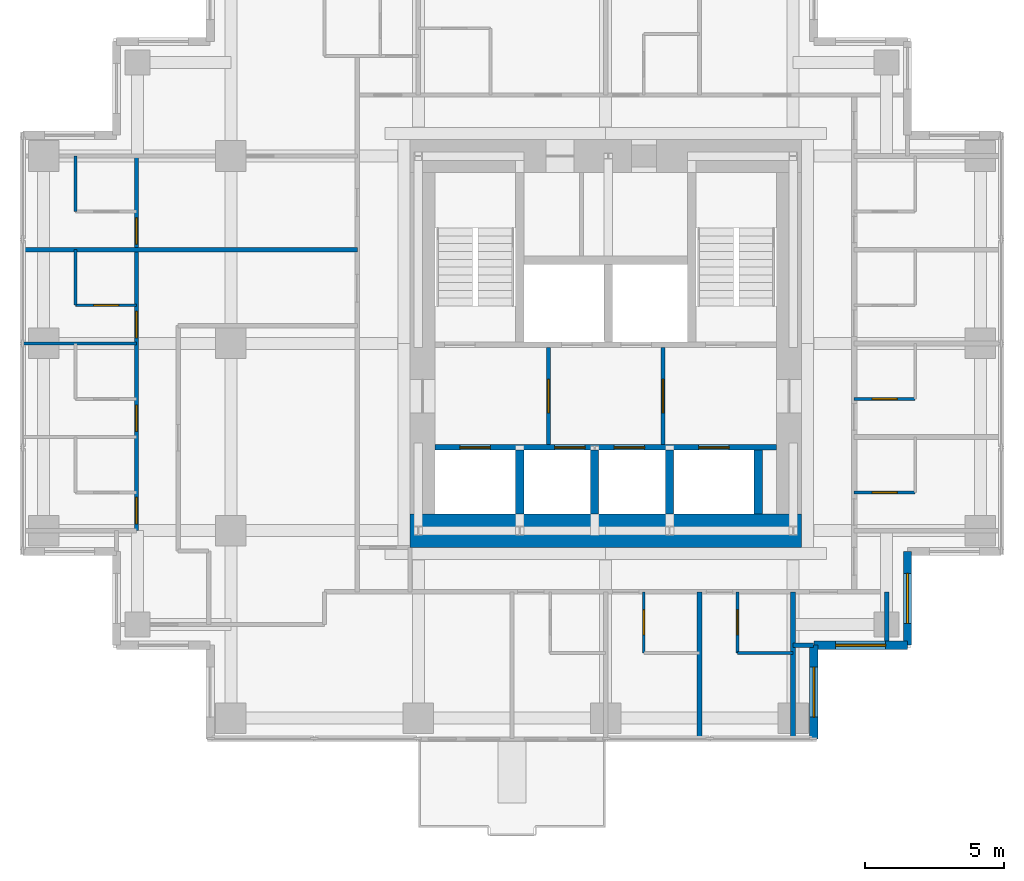
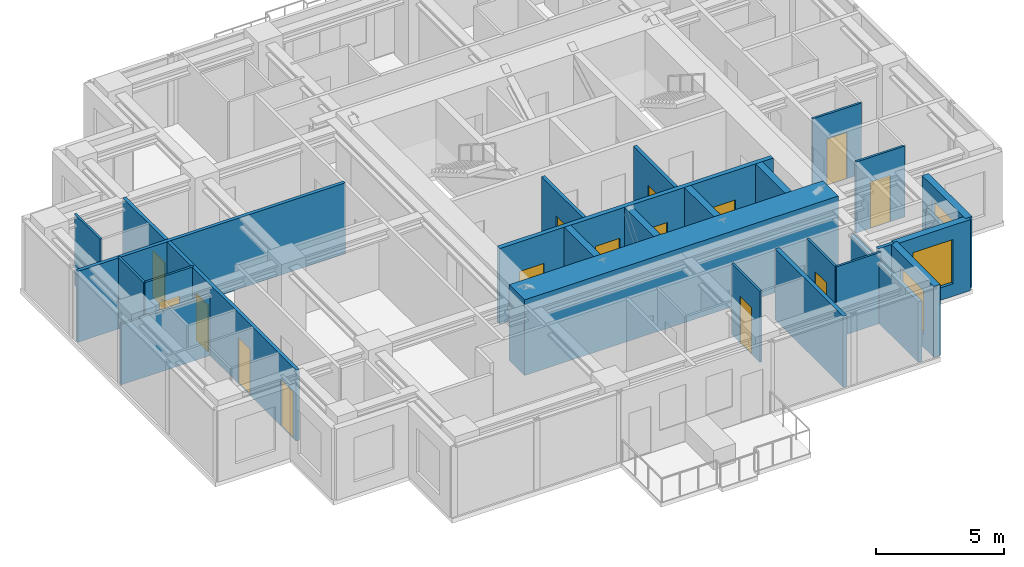
# One storey, part 4 of 8: 26 walls, 15 doors, 3 windows, 18 openings.
"""IFC4 building model written with IfcOpenShell, lengths in metres."""

from ifc_helpers import new_model, si_unit, direction, frame, frame_2d, origin, place, context, subcontext, project, spatial, rectangle, extrude, material, layer, layer_set, type_object, element, fill, save


model = new_model("IFC4")

# Units and contexts
model_context = context("Model", 3, precision=1e-05, world=origin(), true_north=direction((0.0, 1.0)))
body_context = subcontext(model_context, "Body", "Model", "MODEL_VIEW")
ifc_project = project(units=[si_unit("LENGTHUNIT", "METRE"), si_unit("AREAUNIT", "SQUARE_METRE"), si_unit("VOLUMEUNIT", "CUBIC_METRE"), si_unit("PLANEANGLEUNIT", "RADIAN"), si_unit("MASSUNIT", "GRAM", prefix="KILO")], contexts=[model_context])

# Site, building, storey
site_placement = place(None, origin())
site = spatial("IfcSite", under=ifc_project, at=site_placement, CompositionType="ELEMENT")
building_placement = place(site_placement, origin())
building = spatial("IfcBuilding", under=site, at=building_placement, Name="Nyansa Garden Tower", CompositionType="ELEMENT")
storey_placement = place(building_placement, frame((0.0, 0.0, 218.699951171875)))
storey = spatial("IfcBuildingStorey", under=building, at=storey_placement, Name="L59", CompositionType="ELEMENT", Elevation=218.699951171875)

# Walls
ifc_material_1 = material(Name="Dense blockwork, plastered both sides, 55 dB", Category="masonry")
ifc_layer_1 = layer(ifc_material_1, 0.175048828125)
ifc_layer_set_1 = layer_set([ifc_layer_1], Name="Acoustic party wall PW175")
wall_type_1 = type_object("IfcWallType", Name="Acoustic party wall PW175", PredefinedType="PARTITIONING", material=ifc_layer_set_1)
wall_1_placement = place(storey_placement, frame((23.625, 6.01611328125, 0.0), z_axis=(0.0, 0.0, 1.0), x_axis=(0.0, 1.0, 0.0)))
element("IfcWall", 1, at=wall_1_placement, inside=storey, type_object=wall_type_1, Name="Party wall", PredefinedType="PARTITIONING", context=body_context, shape_type="SweptSolid", body=[
    extrude(rectangle(XDim=5.283935546875, YDim=0.175048828125, at=frame_2d((2.64208984375, 0.0))), origin(), (0.0, 0.0, 1.0), 3.375),
])
wall_2_placement = place(storey_placement, frame((27.0, 6.01611328125, 0.0), z_axis=(0.0, 0.0, 1.0), x_axis=(0.0, 1.0, 0.0)))
element("IfcWall", 2, at=wall_2_placement, inside=storey, type_object=wall_type_1, Name="Party wall", PredefinedType="PARTITIONING", context=body_context, shape_type="SweptSolid", body=[
    extrude(rectangle(XDim=5.283935546875, YDim=0.175048828125, at=frame_2d((2.64208984375, 0.0))), origin(), (0.0, 0.0, 1.0), 2.876953125),
])

# Wall, openings, doors
ifc_material_2 = material(Name="Concrete C70/85", Category="concrete")
ifc_layer_2 = layer(ifc_material_2, 0.199951171875)
ifc_layer_set_2 = layer_set([ifc_layer_2], Name="Core inner wall CI200")
wall_type_2 = type_object("IfcWallType", Name="Core inner wall CI200", PredefinedType="SHEAR", material=ifc_layer_set_2)
wall_3_placement = place(storey_placement, frame((14.10009765625, 16.5, 0.0), z_axis=(0.0, 0.0, 1.0), x_axis=(1.0, 0.0, 0.0)))
wall_3 = element("IfcWall", 3, at=wall_3_placement, inside=storey, type_object=wall_type_2, Name="Core inner wall L59", PredefinedType="SHEAR", context=body_context, shape_type="SweptSolid", body=[
    extrude(rectangle(XDim=12.2998046875, YDim=0.199951171875, at=frame_2d((6.14990234375, 0.0))), origin(), (0.0, 0.0, 1.0), 3.60009765625),
])
opening_1_placement = place(wall_3_placement, frame((0.89990234375, 0.0, 0.0)))
opening_1 = element("IfcOpeningElement", 4, at=opening_1_placement, cuts=wall_3, Name="Opening LD-F", PredefinedType="OPENING", context=body_context, shape_type="SweptSolid", body=[
    extrude(rectangle(XDim=1.10009765625, YDim=2.199951171875, at=frame_2d((0.550048828125, 1.10009765625))), frame((0.0, 0.10986328125, 0.0), z_axis=(0.0, -1.0, 0.0), x_axis=(1.0, 0.0, 0.0)), (0.0, 0.0, 1.0), 0.219970703125),
])
opening_2_placement = place(wall_3_placement, frame((4.31005859375, 0.0, 0.0)))
opening_2 = element("IfcOpeningElement", 5, at=opening_2_placement, cuts=wall_3, Name="Opening LD-B", PredefinedType="OPENING", context=body_context, shape_type="SweptSolid", body=[
    extrude(rectangle(XDim=1.10009765625, YDim=2.199951171875, at=frame_2d((0.550048828125, 1.10009765625))), frame((0.0, 0.10986328125, 0.0), z_axis=(0.0, -1.0, 0.0), x_axis=(1.0, 0.0, 0.0)), (0.0, 0.0, 1.0), 0.219970703125),
])
opening_3_placement = place(wall_3_placement, frame((6.449951171875, 0.0, 0.0)))
opening_3 = element("IfcOpeningElement", 6, at=opening_3_placement, cuts=wall_3, Name="Opening LD-B", PredefinedType="OPENING", context=body_context, shape_type="SweptSolid", body=[
    extrude(rectangle(XDim=1.10009765625, YDim=2.199951171875, at=frame_2d((0.550048828125, 1.10009765625))), frame((0.0, 0.10986328125, 0.0), z_axis=(0.0, -1.0, 0.0), x_axis=(1.0, 0.0, 0.0)), (0.0, 0.0, 1.0), 0.219970703125),
])
opening_4_placement = place(wall_3_placement, frame((9.5, 0.0, 0.0)))
opening_4 = element("IfcOpeningElement", 7, at=opening_4_placement, cuts=wall_3, Name="Opening LD-F", PredefinedType="OPENING", context=body_context, shape_type="SweptSolid", body=[
    extrude(rectangle(XDim=1.10009765625, YDim=2.199951171875, at=frame_2d((0.550048828125, 1.10009765625))), frame((0.0, 0.10986328125, 0.0), z_axis=(0.0, -1.0, 0.0), x_axis=(1.0, 0.0, 0.0)), (0.0, 0.0, 1.0), 0.219970703125),
])
ifc_material_3 = material(Name="Stainless steel centre-opening landing door of the high-rise lift, E 120", Category="steel")
door_type_1 = type_object("IfcDoorType", Name="Lift landing door LD-B 1100x2200", OperationType="DOUBLE_DOOR_SLIDING", PredefinedType="DOOR", material=ifc_material_3)
door_1_placement = place(opening_2_placement, origin())
door_1 = element("IfcDoor", 8, at=door_1_placement, inside=storey, type_object=door_type_1, Name="Landing door B1", OperationType="DOUBLE_DOOR_SLIDING", OverallHeight=2.199951171875, OverallWidth=1.10009765625, PredefinedType="DOOR", context=body_context, shape_type="SweptSolid", body=[
    extrude(rectangle(XDim=1.10009765625, YDim=2.199951171875, at=frame_2d((0.550048828125, 1.10009765625))), frame((0.0, 0.02490234375, 0.0), z_axis=(0.0, -1.0, 0.0), x_axis=(1.0, 0.0, 0.0)), (0.0, 0.0, 1.0), 0.050048828125),
])
fill(opening_2, door_1)
door_2_placement = place(opening_3_placement, origin())
door_2 = element("IfcDoor", 9, at=door_2_placement, inside=storey, type_object=door_type_1, Name="Landing door B2", OperationType="DOUBLE_DOOR_SLIDING", OverallHeight=2.199951171875, OverallWidth=1.10009765625, PredefinedType="DOOR", context=body_context, shape_type="SweptSolid", body=[
    extrude(rectangle(XDim=1.10009765625, YDim=2.199951171875, at=frame_2d((0.550048828125, 1.10009765625))), frame((0.0, 0.02490234375, 0.0), z_axis=(0.0, -1.0, 0.0), x_axis=(1.0, 0.0, 0.0)), (0.0, 0.0, 1.0), 0.050048828125),
])
fill(opening_3, door_2)
ifc_material_4 = material(Name="Stainless steel centre-opening landing door of the firefighting lift, EN 81-72, E 120", Category="steel")
door_type_2 = type_object("IfcDoorType", Name="Lift landing door LD-F 1100x2200", OperationType="DOUBLE_DOOR_SLIDING", PredefinedType="DOOR", material=ifc_material_4)
door_3_placement = place(opening_1_placement, origin())
door_3 = element("IfcDoor", 10, at=door_3_placement, inside=storey, type_object=door_type_2, Name="Landing door FF1", OperationType="DOUBLE_DOOR_SLIDING", OverallHeight=2.199951171875, OverallWidth=1.10009765625, PredefinedType="DOOR", context=body_context, shape_type="SweptSolid", body=[
    extrude(rectangle(XDim=1.10009765625, YDim=2.199951171875, at=frame_2d((0.550048828125, 1.10009765625))), frame((0.0, 0.02490234375, 0.0), z_axis=(0.0, -1.0, 0.0), x_axis=(1.0, 0.0, 0.0)), (0.0, 0.0, 1.0), 0.050048828125),
])
fill(opening_1, door_3)
door_4_placement = place(opening_4_placement, origin())
door_4 = element("IfcDoor", 11, at=door_4_placement, inside=storey, type_object=door_type_2, Name="Landing door FF2", OperationType="DOUBLE_DOOR_SLIDING", OverallHeight=2.199951171875, OverallWidth=1.10009765625, PredefinedType="DOOR", context=body_context, shape_type="SweptSolid", body=[
    extrude(rectangle(XDim=1.10009765625, YDim=2.199951171875, at=frame_2d((0.550048828125, 1.10009765625))), frame((0.0, 0.02490234375, 0.0), z_axis=(0.0, -1.0, 0.0), x_axis=(1.0, 0.0, 0.0)), (0.0, 0.0, 1.0), 0.050048828125),
])
fill(opening_4, door_4)

# Walls
ifc_material_5 = material(Name="Concrete C70/85", Category="concrete")
ifc_layer_3 = layer(ifc_material_5, 0.300048828125)
ifc_layer_set_3 = layer_set([ifc_layer_3], Name="Core inner wall CI300")
wall_type_3 = type_object("IfcWallType", Name="Core inner wall CI300", PredefinedType="SHEAR", material=ifc_layer_set_3)
for number, where, z_axis, x_axis, name in (
    (12, (17.14990234375, 14.10009765625, 0.0), (0.0, 0.0, 1.0), (0.0, 1.0, 0.0), "Core inner wall L59"),
    (13, (19.85009765625, 14.10009765625, 0.0), (0.0, 0.0, 1.0), (0.0, 1.0, 0.0), "Core inner wall L59"),
    (14, (22.550048828125, 14.10009765625, 0.0), (0.0, 0.0, 1.0), (0.0, 1.0, 0.0), "Core inner wall L59"),
    (15, (25.75, 14.10009765625, 0.0), (0.0, 0.0, 1.0), (0.0, 1.0, 0.0), "Core inner wall L59"),
):
    element("IfcWall", number, at=place(storey_placement, frame(where, z_axis=z_axis, x_axis=x_axis)), inside=storey, type_object=wall_type_3, Name=name, PredefinedType="SHEAR", context=body_context, shape_type="SweptSolid", body=[
        extrude(rectangle(XDim=2.2998046875, YDim=0.300048828125, at=frame_2d((1.14990234375, 0.0))), origin(), (0.0, 0.0, 1.0), 3.60009765625),
    ])
ifc_material_6 = material(Name="Concrete C80/95", Category="concrete")
ifc_layer_4 = layer(ifc_material_6, 1.199951171875)
ifc_layer_set_4 = layer_set([ifc_layer_4], Name="Core wall CW1200")
wall_type_4 = type_object("IfcWallType", Name="Core wall CW1200", PredefinedType="SHEAR", material=ifc_layer_set_4)
wall_4_placement = place(storey_placement, frame((13.199951171875, 13.5, 0.0), z_axis=(0.0, 0.0, 1.0), x_axis=(1.0, 0.0, 0.0)))
element("IfcWall", 16, at=wall_4_placement, inside=storey, type_object=wall_type_4, Name="Core wall S L59", PredefinedType="SHEAR", context=body_context, shape_type="SweptSolid", body=[
    extrude(rectangle(XDim=14.10009765625, YDim=1.199951171875, at=frame_2d((7.050048828125, 0.0))), origin(), (0.0, 0.0, 1.0), 3.60009765625),
])

# Wall, opening, door
ifc_material_7 = material(Name="Blockwork, plastered both sides", Category="masonry")
ifc_layer_5 = layer(ifc_material_7, 0.14990234375)
ifc_layer_set_5 = layer_set([ifc_layer_5], Name="Partition PW150")
wall_type_5 = type_object("IfcWallType", Name="Partition PW150", PredefinedType="PARTITIONING", material=ifc_layer_set_5)
wall_5_placement = place(storey_placement, frame((18.18505859375, 16.60009765625, 0.0), z_axis=(0.0, 0.0, 1.0), x_axis=(0.0, 1.0, 0.0)))
wall_5 = element("IfcWall", 17, at=wall_5_placement, inside=storey, type_object=wall_type_5, Name="Partition", PredefinedType="PARTITIONING", context=body_context, shape_type="SweptSolid", body=[
    extrude(rectangle(XDim=3.5, YDim=0.14990234375, at=frame_2d((1.75, 0.0))), origin(), (0.0, 0.0, 1.0), 3.375),
])
opening_5_placement = place(wall_5_placement, frame((1.14990234375, 0.0, 0.0)))
opening_5 = element("IfcOpeningElement", 18, at=opening_5_placement, cuts=wall_5, Name="Opening D06", PredefinedType="OPENING", context=body_context, shape_type="SweptSolid", body=[
    extrude(rectangle(XDim=1.199951171875, YDim=2.199951171875, at=frame_2d((0.60009765625, 1.10009765625))), frame((0.0, 0.0849609375, 0.0), z_axis=(0.0, -1.0, 0.0), x_axis=(1.0, 0.0, 0.0)), (0.0, 0.0, 1.0), 0.169921875),
])
ifc_material_8 = material(Name="Steel door, 120 minute fire resisting", Category="steel")
door_type_3 = type_object("IfcDoorType", Name="Lobby door D06 1200x2200", OperationType="DOUBLE_DOOR_SINGLE_SWING", PredefinedType="DOOR", material=ifc_material_8)
door_5_placement = place(opening_5_placement, origin())
door_5 = element("IfcDoor", 19, at=door_5_placement, inside=storey, type_object=door_type_3, Name="Passenger lift lobby door", OperationType="DOUBLE_DOOR_SINGLE_SWING", OverallHeight=2.199951171875, OverallWidth=1.199951171875, PredefinedType="DOOR", context=body_context, shape_type="SweptSolid", body=[
    extrude(rectangle(XDim=1.199951171875, YDim=2.199951171875, at=frame_2d((0.60009765625, 1.10009765625))), frame((0.0, 0.02490234375, 0.0), z_axis=(0.0, -1.0, 0.0), x_axis=(1.0, 0.0, 0.0)), (0.0, 0.0, 1.0), 0.050048828125),
])
fill(opening_5, door_5)

wall_6_placement = place(storey_placement, frame((22.31494140625, 16.60009765625, 0.0), z_axis=(0.0, 0.0, 1.0), x_axis=(0.0, 1.0, 0.0)))
wall_6 = element("IfcWall", 20, at=wall_6_placement, inside=storey, type_object=wall_type_5, Name="Partition", PredefinedType="PARTITIONING", context=body_context, shape_type="SweptSolid", body=[
    extrude(rectangle(XDim=3.5, YDim=0.14990234375, at=frame_2d((1.75, 0.0))), origin(), (0.0, 0.0, 1.0), 3.375),
])
opening_6_placement = place(wall_6_placement, frame((1.14990234375, 0.0, 0.0)))
opening_6 = element("IfcOpeningElement", 21, at=opening_6_placement, cuts=wall_6, Name="Opening D06", PredefinedType="OPENING", context=body_context, shape_type="SweptSolid", body=[
    extrude(rectangle(XDim=1.199951171875, YDim=2.199951171875, at=frame_2d((0.60009765625, 1.10009765625))), frame((0.0, 0.0849609375, 0.0), z_axis=(0.0, -1.0, 0.0), x_axis=(1.0, 0.0, 0.0)), (0.0, 0.0, 1.0), 0.169921875),
])
door_6_placement = place(opening_6_placement, origin())
door_6 = element("IfcDoor", 22, at=door_6_placement, inside=storey, type_object=door_type_3, Name="Passenger lift lobby door", OperationType="DOUBLE_DOOR_SINGLE_SWING", OverallHeight=2.199951171875, OverallWidth=1.199951171875, PredefinedType="DOOR", context=body_context, shape_type="SweptSolid", body=[
    extrude(rectangle(XDim=1.199951171875, YDim=2.199951171875, at=frame_2d((0.60009765625, 1.10009765625))), frame((0.0, 0.02490234375, 0.0), z_axis=(0.0, -1.0, 0.0), x_axis=(1.0, 0.0, 0.0)), (0.0, 0.0, 1.0), 0.050048828125),
])
fill(opening_6, door_6)

# Wall
wall_7_placement = place(storey_placement, frame((-0.73388671875, 23.625, 0.0), z_axis=(0.0, 0.0, 1.0), x_axis=(1.0, 0.0, 0.0)))
element("IfcWall", 23, at=wall_7_placement, inside=storey, type_object=wall_type_5, Name="Partition", PredefinedType="PARTITIONING", context=body_context, shape_type="SweptSolid", body=[
    extrude(rectangle(XDim=12.033935546875, YDim=0.14990234375, at=frame_2d((6.01708984375, 0.0))), origin(), (0.0, 0.0, 1.0), 3.375),
])

# Wall, openings, doors
wall_8_placement = place(storey_placement, frame((3.35009765625, 13.5, 0.0), z_axis=(0.0, 0.0, 1.0), x_axis=(0.0, 1.0, 0.0)))
wall_8 = element("IfcWall", 24, at=wall_8_placement, inside=storey, type_object=wall_type_5, Name="Partition", PredefinedType="PARTITIONING", context=body_context, shape_type="SweptSolid", body=[
    extrude(rectangle(XDim=13.5, YDim=0.14990234375, at=frame_2d((6.75, 0.0))), origin(), (0.0, 0.0, 1.0), 3.375),
])
opening_7_placement = place(wall_8_placement, frame((10.324951171875, 0.0, 0.0)))
opening_7 = element("IfcOpeningElement", 25, at=opening_7_placement, cuts=wall_8, Name="Opening D01", PredefinedType="OPENING", context=body_context, shape_type="SweptSolid", body=[
    extrude(rectangle(XDim=0.949951171875, YDim=2.199951171875, at=frame_2d((0.47509765625, 1.10009765625))), frame((0.0, 0.0849609375, 0.0), z_axis=(0.0, -1.0, 0.0), x_axis=(1.0, 0.0, 0.0)), (0.0, 0.0, 1.0), 0.169921875),
])
opening_8_placement = place(wall_8_placement, frame((0.25, 0.0, 0.0)))
opening_8 = element("IfcOpeningElement", 26, at=opening_8_placement, cuts=wall_8, Name="Opening D14", PredefinedType="OPENING", context=body_context, shape_type="SweptSolid", body=[
    extrude(rectangle(XDim=0.949951171875, YDim=2.199951171875, at=frame_2d((0.47509765625, 1.10009765625))), frame((0.0, 0.0849609375, 0.0), z_axis=(0.0, -1.0, 0.0), x_axis=(1.0, 0.0, 0.0)), (0.0, 0.0, 1.0), 0.169921875),
])
opening_9_placement = place(wall_8_placement, frame((3.574951171875, 0.0, 0.0)))
opening_9 = element("IfcOpeningElement", 27, at=opening_9_placement, cuts=wall_8, Name="Opening D14", PredefinedType="OPENING", context=body_context, shape_type="SweptSolid", body=[
    extrude(rectangle(XDim=0.949951171875, YDim=2.199951171875, at=frame_2d((0.47509765625, 1.10009765625))), frame((0.0, 0.0849609375, 0.0), z_axis=(0.0, -1.0, 0.0), x_axis=(1.0, 0.0, 0.0)), (0.0, 0.0, 1.0), 0.169921875),
])
opening_10_placement = place(wall_8_placement, frame((6.949951171875, 0.0, 0.0)))
opening_10 = element("IfcOpeningElement", 28, at=opening_10_placement, cuts=wall_8, Name="Opening D14", PredefinedType="OPENING", context=body_context, shape_type="SweptSolid", body=[
    extrude(rectangle(XDim=0.949951171875, YDim=2.199951171875, at=frame_2d((0.47509765625, 1.10009765625))), frame((0.0, 0.0849609375, 0.0), z_axis=(0.0, -1.0, 0.0), x_axis=(1.0, 0.0, 0.0)), (0.0, 0.0, 1.0), 0.169921875),
])
ifc_material_9 = material(Name="Timber flush door, 30 minute fire resisting", Category="wood")
door_type_4 = type_object("IfcDoorType", Name="Bedroom door D01 950x2200", OperationType="SINGLE_SWING_LEFT", PredefinedType="DOOR", material=ifc_material_9)
door_7_placement = place(opening_7_placement, origin())
door_7 = element("IfcDoor", 29, at=door_7_placement, inside=storey, type_object=door_type_4, Name="Door L59-044", OperationType="SINGLE_SWING_LEFT", OverallHeight=2.199951171875, OverallWidth=0.949951171875, PredefinedType="DOOR", context=body_context, shape_type="SweptSolid", body=[
    extrude(rectangle(XDim=0.949951171875, YDim=2.199951171875, at=frame_2d((0.47509765625, 1.10009765625))), frame((0.0, 0.02490234375, 0.0), z_axis=(0.0, -1.0, 0.0), x_axis=(1.0, 0.0, 0.0)), (0.0, 0.0, 1.0), 0.050048828125),
])
fill(opening_7, door_7)
ifc_material_10 = material(Name="Timber flush door, 60 minute fire resisting, self-closing", Category="wood")
door_type_5 = type_object("IfcDoorType", Name="Studio entrance door D14 950x2200", OperationType="SINGLE_SWING_LEFT", PredefinedType="DOOR", material=ifc_material_10)
door_8_placement = place(opening_8_placement, origin())
door_8 = element("IfcDoor", 30, at=door_8_placement, inside=storey, type_object=door_type_5, Name="Door L59-047", OperationType="SINGLE_SWING_LEFT", OverallHeight=2.199951171875, OverallWidth=0.949951171875, PredefinedType="DOOR", context=body_context, shape_type="SweptSolid", body=[
    extrude(rectangle(XDim=0.949951171875, YDim=2.199951171875, at=frame_2d((0.47509765625, 1.10009765625))), frame((0.0, 0.02490234375, 0.0), z_axis=(0.0, -1.0, 0.0), x_axis=(1.0, 0.0, 0.0)), (0.0, 0.0, 1.0), 0.050048828125),
])
fill(opening_8, door_8)
door_9_placement = place(opening_9_placement, origin())
door_9 = element("IfcDoor", 31, at=door_9_placement, inside=storey, type_object=door_type_5, Name="Door L59-049", OperationType="SINGLE_SWING_LEFT", OverallHeight=2.199951171875, OverallWidth=0.949951171875, PredefinedType="DOOR", context=body_context, shape_type="SweptSolid", body=[
    extrude(rectangle(XDim=0.949951171875, YDim=2.199951171875, at=frame_2d((0.47509765625, 1.10009765625))), frame((0.0, 0.02490234375, 0.0), z_axis=(0.0, -1.0, 0.0), x_axis=(1.0, 0.0, 0.0)), (0.0, 0.0, 1.0), 0.050048828125),
])
fill(opening_9, door_9)
door_10_placement = place(opening_10_placement, origin())
door_10 = element("IfcDoor", 32, at=door_10_placement, inside=storey, type_object=door_type_5, Name="Door L59-051", OperationType="SINGLE_SWING_LEFT", OverallHeight=2.199951171875, OverallWidth=0.949951171875, PredefinedType="DOOR", context=body_context, shape_type="SweptSolid", body=[
    extrude(rectangle(XDim=0.949951171875, YDim=2.199951171875, at=frame_2d((0.47509765625, 1.10009765625))), frame((0.0, 0.02490234375, 0.0), z_axis=(0.0, -1.0, 0.0), x_axis=(1.0, 0.0, 0.0)), (0.0, 0.0, 1.0), 0.050048828125),
])
fill(opening_10, door_10)

# Walls
wall_9_placement = place(storey_placement, frame((27.0, 9.375, 0.0), z_axis=(0.0, 0.0, 1.0), x_axis=(1.0, 0.0, 0.0)))
element("IfcWall", 33, at=wall_9_placement, inside=storey, type_object=wall_type_5, Name="Partition", PredefinedType="PARTITIONING", context=body_context, shape_type="SweptSolid", body=[
    extrude(rectangle(XDim=0.73388671875, YDim=0.14990234375, at=frame_2d((0.366943359375, 0.0))), origin(), (0.0, 0.0, 1.0), 3.375),
])
wall_10_placement = place(storey_placement, frame((30.375, 9.52490234375, 0.0), z_axis=(0.0, 0.0, 1.0), x_axis=(0.0, 1.0, 0.0)))
element("IfcWall", 34, at=wall_10_placement, inside=storey, type_object=wall_type_5, Name="Partition", PredefinedType="PARTITIONING", context=body_context, shape_type="SweptSolid", body=[
    extrude(rectangle(XDim=1.775146484375, YDim=0.14990234375, at=frame_2d((0.8876953125, 0.0))), origin(), (0.0, 0.0, 1.0), 2.876953125),
])

# Wall, opening, window
ifc_material_11 = material(Name="Turquoise glazed tile on concrete blockwork", Category="masonry")
ifc_layer_6 = layer(ifc_material_11, 0.300048828125)
ifc_layer_set_6 = layer_set([ifc_layer_6], Name="Tiled corner wall TW300")
wall_type_6 = type_object("IfcWallType", Name="Tiled corner wall TW300", PredefinedType="SOLIDWALL", material=ifc_layer_set_6)
wall_11_placement = place(storey_placement, frame((27.75, 6.0, 0.0), z_axis=(0.0, 0.0, 1.0), x_axis=(0.0, 1.0, 0.0)))
wall_11 = element("IfcWall", 35, at=wall_11_placement, inside=storey, type_object=wall_type_6, Name="Tiled corner wall L59", PredefinedType="SOLIDWALL", context=body_context, shape_type="SweptSolid", body=[
    extrude(rectangle(XDim=3.375, YDim=0.300048828125, at=frame_2d((1.6875, 0.0))), origin(), (0.0, 0.0, 1.0), 3.375),
])
opening_11_placement = place(wall_11_placement, frame((0.78759765625, 0.0, 0.60009765625)))
opening_11 = element("IfcOpeningElement", 36, at=opening_11_placement, cuts=wall_11, Name="Opening W2", PredefinedType="OPENING", context=body_context, shape_type="SweptSolid", body=[
    extrude(rectangle(XDim=1.800048828125, YDim=2.10009765625, at=frame_2d((0.89990234375, 1.050048828125))), frame((0.0, 0.159912109375, 0.0), z_axis=(0.0, -1.0, 0.0), x_axis=(1.0, 0.0, 0.0)), (0.0, 0.0, 1.0), 0.320068359375),
])
ifc_material_12 = material(Name="Black aluminium frame, dark tinted double glazing", Category="aluminium")
window_type = type_object("IfcWindowType", Name="Window W2 1800x2100", PartitioningType="SINGLE_PANEL", PredefinedType="WINDOW", material=ifc_material_12)
window_1_placement = place(opening_11_placement, origin())
window_1 = element("IfcWindow", 37, at=window_1_placement, inside=storey, type_object=window_type, Name="Corner window L59", OverallHeight=2.10009765625, OverallWidth=1.800048828125, PartitioningType="SINGLE_PANEL", PredefinedType="WINDOW", context=body_context, shape_type="SweptSolid", body=[
    extrude(rectangle(XDim=1.800048828125, YDim=2.10009765625, at=frame_2d((0.89990234375, 1.050048828125))), frame((0.0, 0.030029296875, 0.0), z_axis=(0.0, -1.0, 0.0), x_axis=(1.0, 0.0, 0.0)), (0.0, 0.0, 1.0), 0.06005859375),
])
fill(opening_11, window_1)

wall_12_placement = place(storey_placement, frame((27.75, 9.375, 0.0), z_axis=(0.0, 0.0, 1.0), x_axis=(1.0, 0.0, 0.0)))
wall_12 = element("IfcWall", 38, at=wall_12_placement, inside=storey, type_object=wall_type_6, Name="Tiled corner wall L59", PredefinedType="SOLIDWALL", context=body_context, shape_type="SweptSolid", body=[
    extrude(rectangle(XDim=3.375, YDim=0.300048828125, at=frame_2d((1.6875, 0.0))), origin(), (0.0, 0.0, 1.0), 3.375),
])
opening_12_placement = place(wall_12_placement, frame((0.78759765625, 0.0, 0.60009765625)))
opening_12 = element("IfcOpeningElement", 39, at=opening_12_placement, cuts=wall_12, Name="Opening W2", PredefinedType="OPENING", context=body_context, shape_type="SweptSolid", body=[
    extrude(rectangle(XDim=1.800048828125, YDim=2.10009765625, at=frame_2d((0.89990234375, 1.050048828125))), frame((0.0, 0.159912109375, 0.0), z_axis=(0.0, -1.0, 0.0), x_axis=(1.0, 0.0, 0.0)), (0.0, 0.0, 1.0), 0.320068359375),
])
window_2_placement = place(opening_12_placement, origin())
window_2 = element("IfcWindow", 40, at=window_2_placement, inside=storey, type_object=window_type, Name="Corner window L59", OverallHeight=2.10009765625, OverallWidth=1.800048828125, PartitioningType="SINGLE_PANEL", PredefinedType="WINDOW", context=body_context, shape_type="SweptSolid", body=[
    extrude(rectangle(XDim=1.800048828125, YDim=2.10009765625, at=frame_2d((0.89990234375, 1.050048828125))), frame((0.0, 0.030029296875, 0.0), z_axis=(0.0, -1.0, 0.0), x_axis=(1.0, 0.0, 0.0)), (0.0, 0.0, 1.0), 0.06005859375),
])
fill(opening_12, window_2)

wall_13_placement = place(storey_placement, frame((31.125, 9.375, 0.0), z_axis=(0.0, 0.0, 1.0), x_axis=(0.0, 1.0, 0.0)))
wall_13 = element("IfcWall", 41, at=wall_13_placement, inside=storey, type_object=wall_type_6, Name="Tiled corner wall L59", PredefinedType="SOLIDWALL", context=body_context, shape_type="SweptSolid", body=[
    extrude(rectangle(XDim=3.375, YDim=0.300048828125, at=frame_2d((1.6875, 0.0))), origin(), (0.0, 0.0, 1.0), 3.375),
])
opening_13_placement = place(wall_13_placement, frame((0.78759765625, 0.0, 0.60009765625)))
opening_13 = element("IfcOpeningElement", 42, at=opening_13_placement, cuts=wall_13, Name="Opening W2", PredefinedType="OPENING", context=body_context, shape_type="SweptSolid", body=[
    extrude(rectangle(XDim=1.800048828125, YDim=2.10009765625, at=frame_2d((0.89990234375, 1.050048828125))), frame((0.0, 0.159912109375, 0.0), z_axis=(0.0, -1.0, 0.0), x_axis=(1.0, 0.0, 0.0)), (0.0, 0.0, 1.0), 0.320068359375),
])
window_3_placement = place(opening_13_placement, origin())
window_3 = element("IfcWindow", 43, at=window_3_placement, inside=storey, type_object=window_type, Name="Corner window L59", OverallHeight=2.10009765625, OverallWidth=1.800048828125, PartitioningType="SINGLE_PANEL", PredefinedType="WINDOW", context=body_context, shape_type="SweptSolid", body=[
    extrude(rectangle(XDim=1.800048828125, YDim=2.10009765625, at=frame_2d((0.89990234375, 1.050048828125))), frame((0.0, 0.030029296875, 0.0), z_axis=(0.0, -1.0, 0.0), x_axis=(1.0, 0.0, 0.0)), (0.0, 0.0, 1.0), 0.06005859375),
])
fill(opening_13, window_3)

# Walls
ifc_material_13 = material(Name="Moisture resistant board on steel studs, tiled", Category="steel")
ifc_layer_7 = layer(ifc_material_13, 0.10009765625)
ifc_layer_set_7 = layer_set([ifc_layer_7], Name="Wet wall PW100")
wall_type_7 = type_object("IfcWallType", Name="Wet wall PW100", PredefinedType="PARTITIONING", material=ifc_layer_set_7)
wall_14_placement = place(storey_placement, frame((-0.73388671875, 20.25, 0.0), z_axis=(0.0, 0.0, 1.0), x_axis=(1.0, 0.0, 0.0)))
element("IfcWall", 44, at=wall_14_placement, inside=storey, type_object=wall_type_7, Name="Wet wall", PredefinedType="PARTITIONING", context=body_context, shape_type="SweptSolid", body=[
    extrude(rectangle(XDim=4.083984375, YDim=0.10009765625, at=frame_2d((2.0419921875, 0.0))), origin(), (0.0, 0.0, 1.0), 2.876953125),
])
wall_15_placement = place(storey_placement, frame((1.14990234375, 21.625, 0.0), z_axis=(0.0, 0.0, 1.0), x_axis=(0.0, 1.0, 0.0)))
element("IfcWall", 45, at=wall_15_placement, inside=storey, type_object=wall_type_7, Name="Wet wall", PredefinedType="PARTITIONING", context=body_context, shape_type="SweptSolid", body=[
    extrude(rectangle(XDim=2.0, YDim=0.10009765625, at=frame_2d((1.0, 0.0))), origin(), (0.0, 0.0, 1.0), 3.375),
])

# Wall, opening, door
wall_16_placement = place(storey_placement, frame((1.14990234375, 21.625, 0.0), z_axis=(0.0, 0.0, 1.0), x_axis=(1.0, 0.0, 0.0)))
wall_16 = element("IfcWall", 46, at=wall_16_placement, inside=storey, type_object=wall_type_7, Name="Wet wall", PredefinedType="PARTITIONING", context=body_context, shape_type="SweptSolid", body=[
    extrude(rectangle(XDim=2.2001953125, YDim=0.10009765625, at=frame_2d((1.10009765625, 0.0))), origin(), (0.0, 0.0, 1.0), 3.375),
])
opening_14_placement = place(wall_16_placement, frame((0.64990234375, 0.0, 0.0)))
opening_14 = element("IfcOpeningElement", 47, at=opening_14_placement, cuts=wall_16, Name="Opening D02", PredefinedType="OPENING", context=body_context, shape_type="SweptSolid", body=[
    extrude(rectangle(XDim=0.89990234375, YDim=2.199951171875, at=frame_2d((0.449951171875, 1.10009765625))), frame((0.0, 0.06005859375, 0.0), z_axis=(0.0, -1.0, 0.0), x_axis=(1.0, 0.0, 0.0)), (0.0, 0.0, 1.0), 0.1201171875),
])
ifc_material_14 = material(Name="Timber flush door", Category="wood")
door_type_6 = type_object("IfcDoorType", Name="En-suite door D02 900x2200", OperationType="SINGLE_SWING_RIGHT", PredefinedType="DOOR", material=ifc_material_14)
door_11_placement = place(opening_14_placement, origin())
door_11 = element("IfcDoor", 48, at=door_11_placement, inside=storey, type_object=door_type_6, Name="Door L59-052", OperationType="SINGLE_SWING_RIGHT", OverallHeight=2.199951171875, OverallWidth=0.89990234375, PredefinedType="DOOR", context=body_context, shape_type="SweptSolid", body=[
    extrude(rectangle(XDim=0.89990234375, YDim=2.199951171875, at=frame_2d((0.449951171875, 1.10009765625))), frame((0.0, 0.02490234375, 0.0), z_axis=(0.0, -1.0, 0.0), x_axis=(1.0, 0.0, 0.0)), (0.0, 0.0, 1.0), 0.050048828125),
])
fill(opening_14, door_11)

# Wall
wall_17_placement = place(storey_placement, frame((1.14990234375, 25.0, 0.0), z_axis=(0.0, 0.0, 1.0), x_axis=(0.0, 1.0, 0.0)))
element("IfcWall", 49, at=wall_17_placement, inside=storey, type_object=wall_type_7, Name="Wet wall", PredefinedType="PARTITIONING", context=body_context, shape_type="SweptSolid", body=[
    extrude(rectangle(XDim=2.0, YDim=0.10009765625, at=frame_2d((1.0, 0.0))), origin(), (0.0, 0.0, 1.0), 3.375),
])

# Wall, opening, door
wall_18_placement = place(storey_placement, frame((21.625, 9.10009765625, 0.0), z_axis=(0.0, 0.0, 1.0), x_axis=(0.0, 1.0, 0.0)))
wall_18 = element("IfcWall", 50, at=wall_18_placement, inside=storey, type_object=wall_type_7, Name="Wet wall", PredefinedType="PARTITIONING", context=body_context, shape_type="SweptSolid", body=[
    extrude(rectangle(XDim=2.199951171875, YDim=0.10009765625, at=frame_2d((1.10009765625, 0.0))), origin(), (0.0, 0.0, 1.0), 3.375),
])
opening_15_placement = place(wall_18_placement, frame((0.64990234375, 0.0, 0.0)))
opening_15 = element("IfcOpeningElement", 51, at=opening_15_placement, cuts=wall_18, Name="Opening D02", PredefinedType="OPENING", context=body_context, shape_type="SweptSolid", body=[
    extrude(rectangle(XDim=0.89990234375, YDim=2.199951171875, at=frame_2d((0.449951171875, 1.10009765625))), frame((0.0, 0.06005859375, 0.0), z_axis=(0.0, -1.0, 0.0), x_axis=(1.0, 0.0, 0.0)), (0.0, 0.0, 1.0), 0.1201171875),
])
door_12_placement = place(opening_15_placement, origin())
door_12 = element("IfcDoor", 52, at=door_12_placement, inside=storey, type_object=door_type_6, Name="Door L59-021", OperationType="SINGLE_SWING_RIGHT", OverallHeight=2.199951171875, OverallWidth=0.89990234375, PredefinedType="DOOR", context=body_context, shape_type="SweptSolid", body=[
    extrude(rectangle(XDim=0.89990234375, YDim=2.199951171875, at=frame_2d((0.449951171875, 1.10009765625))), frame((0.0, 0.02490234375, 0.0), z_axis=(0.0, -1.0, 0.0), x_axis=(1.0, 0.0, 0.0)), (0.0, 0.0, 1.0), 0.050048828125),
])
fill(opening_15, door_12)

wall_19_placement = place(storey_placement, frame((25.0, 9.10009765625, 0.0), z_axis=(0.0, 0.0, 1.0), x_axis=(0.0, 1.0, 0.0)))
wall_19 = element("IfcWall", 53, at=wall_19_placement, inside=storey, type_object=wall_type_7, Name="Wet wall", PredefinedType="PARTITIONING", context=body_context, shape_type="SweptSolid", body=[
    extrude(rectangle(XDim=2.199951171875, YDim=0.10009765625, at=frame_2d((1.10009765625, 0.0))), origin(), (0.0, 0.0, 1.0), 3.375),
])
opening_16_placement = place(wall_19_placement, frame((0.64990234375, 0.0, 0.0)))
opening_16 = element("IfcOpeningElement", 54, at=opening_16_placement, cuts=wall_19, Name="Opening D02", PredefinedType="OPENING", context=body_context, shape_type="SweptSolid", body=[
    extrude(rectangle(XDim=0.89990234375, YDim=2.199951171875, at=frame_2d((0.449951171875, 1.10009765625))), frame((0.0, 0.06005859375, 0.0), z_axis=(0.0, -1.0, 0.0), x_axis=(1.0, 0.0, 0.0)), (0.0, 0.0, 1.0), 0.1201171875),
])
door_13_placement = place(opening_16_placement, origin())
door_13 = element("IfcDoor", 55, at=door_13_placement, inside=storey, type_object=door_type_6, Name="Door L59-023", OperationType="SINGLE_SWING_RIGHT", OverallHeight=2.199951171875, OverallWidth=0.89990234375, PredefinedType="DOOR", context=body_context, shape_type="SweptSolid", body=[
    extrude(rectangle(XDim=0.89990234375, YDim=2.199951171875, at=frame_2d((0.449951171875, 1.10009765625))), frame((0.0, 0.02490234375, 0.0), z_axis=(0.0, -1.0, 0.0), x_axis=(1.0, 0.0, 0.0)), (0.0, 0.0, 1.0), 0.050048828125),
])
fill(opening_16, door_13)

# Wall
wall_20_placement = place(storey_placement, frame((25.0, 9.10009765625, 0.0), z_axis=(0.0, 0.0, 1.0), x_axis=(1.0, 0.0, 0.0)))
element("IfcWall", 56, at=wall_20_placement, inside=storey, type_object=wall_type_7, Name="Wet wall", PredefinedType="PARTITIONING", context=body_context, shape_type="SweptSolid", body=[
    extrude(rectangle(XDim=2.0, YDim=0.10009765625, at=frame_2d((1.0, 0.0))), origin(), (0.0, 0.0, 1.0), 3.375),
])

# Wall, opening, door
wall_21_placement = place(storey_placement, frame((29.199951171875, 14.875, 0.0), z_axis=(0.0, 0.0, 1.0), x_axis=(1.0, 0.0, 0.0)))
wall_21 = element("IfcWall", 57, at=wall_21_placement, inside=storey, type_object=wall_type_7, Name="Wet wall", PredefinedType="PARTITIONING", context=body_context, shape_type="SweptSolid", body=[
    extrude(rectangle(XDim=2.199951171875, YDim=0.10009765625, at=frame_2d((1.10009765625, 0.0))), origin(), (0.0, 0.0, 1.0), 3.375),
])
opening_17_placement = place(wall_21_placement, frame((0.64990234375, 0.0, 0.0)))
opening_17 = element("IfcOpeningElement", 58, at=opening_17_placement, cuts=wall_21, Name="Opening D02", PredefinedType="OPENING", context=body_context, shape_type="SweptSolid", body=[
    extrude(rectangle(XDim=0.89990234375, YDim=2.199951171875, at=frame_2d((0.449951171875, 1.10009765625))), frame((0.0, 0.06005859375, 0.0), z_axis=(0.0, -1.0, 0.0), x_axis=(1.0, 0.0, 0.0)), (0.0, 0.0, 1.0), 0.1201171875),
])
door_14_placement = place(opening_17_placement, origin())
door_14 = element("IfcDoor", 59, at=door_14_placement, inside=storey, type_object=door_type_6, Name="Door L59-027", OperationType="SINGLE_SWING_RIGHT", OverallHeight=2.199951171875, OverallWidth=0.89990234375, PredefinedType="DOOR", context=body_context, shape_type="SweptSolid", body=[
    extrude(rectangle(XDim=0.89990234375, YDim=2.199951171875, at=frame_2d((0.449951171875, 1.10009765625))), frame((0.0, 0.02490234375, 0.0), z_axis=(0.0, -1.0, 0.0), x_axis=(1.0, 0.0, 0.0)), (0.0, 0.0, 1.0), 0.050048828125),
])
fill(opening_17, door_14)

wall_22_placement = place(storey_placement, frame((29.199951171875, 18.25, 0.0), z_axis=(0.0, 0.0, 1.0), x_axis=(1.0, 0.0, 0.0)))
wall_22 = element("IfcWall", 60, at=wall_22_placement, inside=storey, type_object=wall_type_7, Name="Wet wall", PredefinedType="PARTITIONING", context=body_context, shape_type="SweptSolid", body=[
    extrude(rectangle(XDim=2.199951171875, YDim=0.10009765625, at=frame_2d((1.10009765625, 0.0))), origin(), (0.0, 0.0, 1.0), 3.375),
])
opening_18_placement = place(wall_22_placement, frame((0.64990234375, 0.0, 0.0)))
opening_18 = element("IfcOpeningElement", 61, at=opening_18_placement, cuts=wall_22, Name="Opening D02", PredefinedType="OPENING", context=body_context, shape_type="SweptSolid", body=[
    extrude(rectangle(XDim=0.89990234375, YDim=2.199951171875, at=frame_2d((0.449951171875, 1.10009765625))), frame((0.0, 0.06005859375, 0.0), z_axis=(0.0, -1.0, 0.0), x_axis=(1.0, 0.0, 0.0)), (0.0, 0.0, 1.0), 0.1201171875),
])
door_15_placement = place(opening_18_placement, origin())
door_15 = element("IfcDoor", 62, at=door_15_placement, inside=storey, type_object=door_type_6, Name="Door L59-029", OperationType="SINGLE_SWING_RIGHT", OverallHeight=2.199951171875, OverallWidth=0.89990234375, PredefinedType="DOOR", context=body_context, shape_type="SweptSolid", body=[
    extrude(rectangle(XDim=0.89990234375, YDim=2.199951171875, at=frame_2d((0.449951171875, 1.10009765625))), frame((0.0, 0.02490234375, 0.0), z_axis=(0.0, -1.0, 0.0), x_axis=(1.0, 0.0, 0.0)), (0.0, 0.0, 1.0), 0.050048828125),
])
fill(opening_18, door_15)

save(model, "model.ifc")
